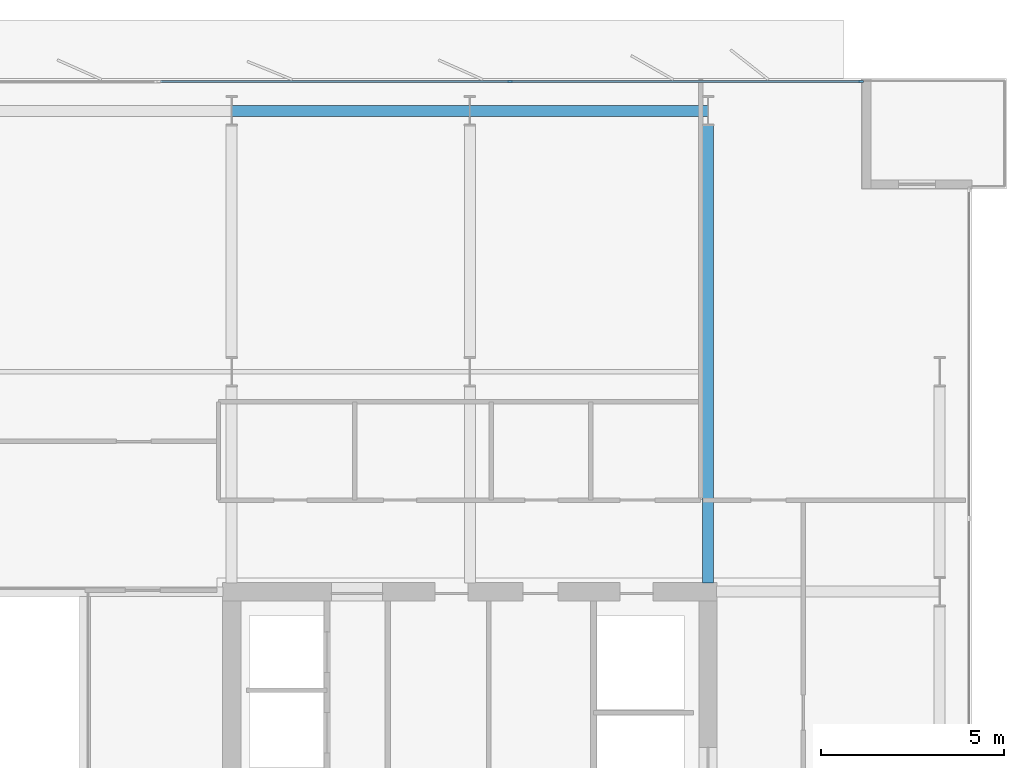
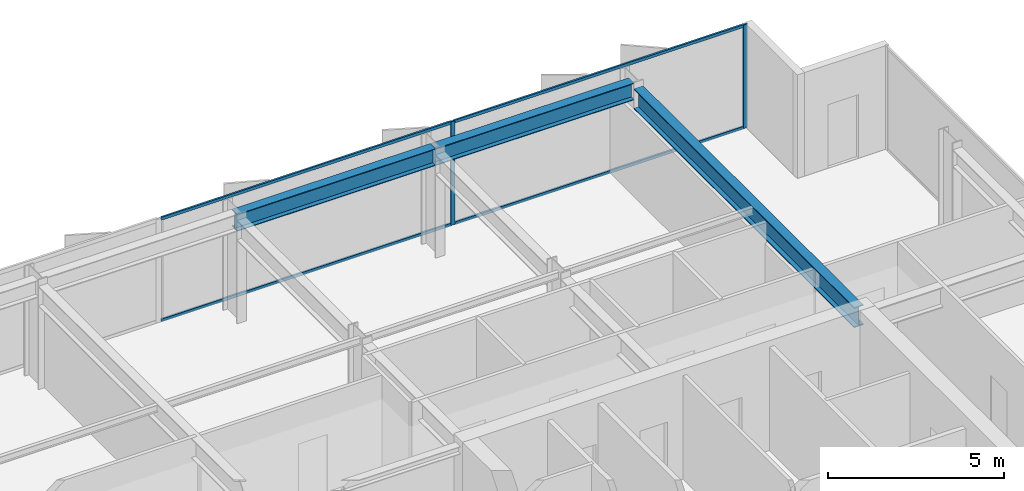
# One storey, part 13 of 23: 6 members, 3 beams, 1 element without a shape of its own.
"""IFC4 building model written with IfcOpenShell, lengths in metres."""

from ifc_helpers import new_model, si_unit, direction, frame, origin, origin_2d, place, context, subcontext, project, spatial, rectangle, i_section, extrude, material, layer, layer_set, material_profile, profile_set, type_object, element, aggregate, save


model = new_model("IFC4")

# Units and contexts
model_context = context("Model", 3, precision=1e-05, world=origin(), true_north=direction((0.0, 1.0)))
body_context = subcontext(model_context, "Body", "Model", "MODEL_VIEW")
ifc_project = project(units=[si_unit("LENGTHUNIT", "METRE"), si_unit("AREAUNIT", "SQUARE_METRE"), si_unit("VOLUMEUNIT", "CUBIC_METRE"), si_unit("PLANEANGLEUNIT", "RADIAN"), si_unit("MASSUNIT", "GRAM", prefix="KILO")], contexts=[model_context])

# Site, building, storey
site_placement = place(None, origin())
site = spatial("IfcSite", under=ifc_project, at=site_placement, CompositionType="ELEMENT")
building_placement = place(site_placement, origin())
building = spatial("IfcBuilding", under=site, at=building_placement, Name="Putna Gate Headquarters", CompositionType="ELEMENT")
storey_placement = place(building_placement, frame((0.0, 0.0, 202.39990234375)))
storey = spatial("IfcBuildingStorey", under=building, at=storey_placement, Name="L50", CompositionType="ELEMENT", Elevation=202.39990234375)

# Beams
ifc_material_1 = material(Name="Steel S355J2", Category="steel")
ifc_material_profile_1 = material_profile(ifc_material_1, i_section(OverallWidth=0.300048828125, OverallDepth=0.699951171875, WebThickness=0.01708984375, FlangeThickness=0.031982421875, at=origin_2d()), Name="Steel S355J2")
ifc_profile_set_1 = profile_set([ifc_material_profile_1], Name="Steel S355J2")
beam_type_1 = type_object("IfcBeamType", Name="BM-GIRD-B-HEB700", PredefinedType="USERDEFINED", material=ifc_profile_set_1)
beam_placement = place(storey_placement, frame((65.0, 33.235107421875, 3.22998046875), z_axis=(0.0, 1.0, 0.0), x_axis=(-1.0, 0.0, 0.0)))
element("IfcBeam", 1, at=beam_placement, inside=storey, type_object=beam_type_1, Name="L50 North Primary Girder X65", ObjectType="GIRDER", PredefinedType="USERDEFINED", context=body_context, shape_type="SweptSolid", body=[
    extrude(i_section(OverallWidth=0.300048828125, OverallDepth=0.699951171875, WebThickness=0.01708984375, FlangeThickness=0.031982421875, at=origin_2d()), origin(), (0.0, 0.0, 1.0), 12.489990234375),
])
ifc_material_profile_2 = material_profile(ifc_material_1, i_section(OverallWidth=0.300048828125, OverallDepth=0.590087890625, WebThickness=0.012939453125, FlangeThickness=0.02490234375, at=origin_2d()), Name="Steel S355J2")
ifc_profile_set_2 = profile_set([ifc_material_profile_2], Name="Steel S355J2")
beam_type_2 = type_object("IfcBeamType", Name="BM-SPAN-Z4-HEA600", PredefinedType="SPANDREL", material=ifc_profile_set_2)
for number, where, z_axis, x_axis, name in (
    (2, (52.006103515625, 46.1201171875, 3.28515625), (1.0, 0.0, 0.0), (0.0, 1.0, 0.0), "L50 N Perimeter Spandrel 7"),
    (3, (58.506103515625, 46.1201171875, 3.28515625), (1.0, 0.0, 0.0), (0.0, 1.0, 0.0), "L50 N Perimeter Spandrel 8"),
):
    element("IfcBeam", number, at=place(storey_placement, frame(where, z_axis=z_axis, x_axis=x_axis)), inside=storey, type_object=beam_type_2, Name=name, PredefinedType="SPANDREL", context=body_context, shape_type="SweptSolid", body=[
        extrude(i_section(OverallWidth=0.300048828125, OverallDepth=0.590087890625, WebThickness=0.012939453125, FlangeThickness=0.02490234375, at=origin_2d()), origin(), (0.0, 0.0, 1.0), 6.48779296875),
    ])

# Curtain wall, members
ifc_material_2 = material(Name="Anodised bronze aluminium curtain wall", Category="aluminium")
ifc_layer = layer(ifc_material_2, 0.139892578125)
ifc_layer_set = layer_set([ifc_layer], Name="Anodised bronze aluminium curtain wall")
curtain_wall_type = type_object("IfcCurtainWallType", Name="CW-SYS-Z4", PredefinedType="USERDEFINED", material=ifc_layer_set)
curtain_wall_placement = place(storey_placement, origin())
curtain_wall = element("IfcCurtainWall", 4, at=curtain_wall_placement, inside=storey, type_object=curtain_wall_type, Name="L50 North East Curtain Wall", ObjectType="STICK CURTAIN WALL", PredefinedType="USERDEFINED")
ifc_material_3 = material(Name="Anodised bronze aluminium EN AW-6060", Category="aluminium")
ifc_material_profile_3 = material_profile(ifc_material_3, rectangle(XDim=0.06005859375, YDim=0.139892578125, at=origin_2d()), Name="Anodised bronze aluminium EN AW-6060")
ifc_profile_set_3 = profile_set([ifc_material_profile_3], Name="Anodised bronze aluminium EN AW-6060")
member_type_1 = type_object("IfcMemberType", Name="MULL-CWM-4", PredefinedType="MULLION", material=ifc_profile_set_3)
member_1_placement = place(storey_placement, frame((59.60009765625, 46.919921875, 0.0), z_axis=(0.0, 0.0, 1.0), x_axis=(0.0, 1.0, 0.0)))
member_1 = element("IfcMember", 5, at=member_1_placement, type_object=member_type_1, Name="CWS-4 mullion 2", PredefinedType="MULLION", context=body_context, shape_type="SweptSolid", body=[
    extrude(rectangle(XDim=0.06005859375, YDim=0.139892578125, at=origin_2d()), origin(), (0.0, 0.0, 1.0), 3.580078125),
])
member_2_placement = place(storey_placement, frame((69.169921875, 46.919921875, 0.0), z_axis=(0.0, 0.0, 1.0), x_axis=(0.0, 1.0, 0.0)))
member_2 = element("IfcMember", 6, at=member_2_placement, type_object=member_type_1, Name="CWS-4 mullion 3", PredefinedType="MULLION", context=body_context, shape_type="SweptSolid", body=[
    extrude(rectangle(XDim=0.06005859375, YDim=0.139892578125, at=origin_2d()), origin(), (0.0, 0.0, 1.0), 3.580078125),
])
ifc_material_profile_4 = material_profile(ifc_material_3, rectangle(XDim=0.06005859375, YDim=0.10009765625, at=origin_2d()), Name="Anodised bronze aluminium EN AW-6060")
ifc_profile_set_4 = profile_set([ifc_material_profile_4], Name="Anodised bronze aluminium EN AW-6060")
member_type_2 = type_object("IfcMemberType", Name="TRAN-CWT-4", PredefinedType="USERDEFINED", material=ifc_profile_set_4)
member_3_placement = place(storey_placement, frame((50.06005859375, 46.919921875, 0.030029296875), z_axis=(1.0, 0.0, 0.0), x_axis=(0.0, 1.0, 0.0)))
member_3 = element("IfcMember", 7, at=member_3_placement, type_object=member_type_2, Name="CWS-4 transom 1.1", ObjectType="TRANSOM", PredefinedType="USERDEFINED", context=body_context, shape_type="SweptSolid", body=[
    extrude(rectangle(XDim=0.06005859375, YDim=0.10009765625, at=origin_2d()), origin(), (0.0, 0.0, 1.0), 9.510009765625),
])
member_4_placement = place(storey_placement, frame((50.06005859375, 46.919921875, 3.550048828125), z_axis=(1.0, 0.0, 0.0), x_axis=(0.0, 1.0, 0.0)))
member_4 = element("IfcMember", 8, at=member_4_placement, type_object=member_type_2, Name="CWS-4 transom 1.2", ObjectType="TRANSOM", PredefinedType="USERDEFINED", context=body_context, shape_type="SweptSolid", body=[
    extrude(rectangle(XDim=0.06005859375, YDim=0.10009765625, at=origin_2d()), origin(), (0.0, 0.0, 1.0), 9.510009765625),
])
member_5_placement = place(storey_placement, frame((59.6298828125, 46.919921875, 0.030029296875), z_axis=(1.0, 0.0, 0.0), x_axis=(0.0, 1.0, 0.0)))
member_5 = element("IfcMember", 9, at=member_5_placement, type_object=member_type_2, Name="CWS-4 transom 2.1", ObjectType="TRANSOM", PredefinedType="USERDEFINED", context=body_context, shape_type="SweptSolid", body=[
    extrude(rectangle(XDim=0.06005859375, YDim=0.10009765625, at=origin_2d()), origin(), (0.0, 0.0, 1.0), 9.510009765625),
])
member_6_placement = place(storey_placement, frame((59.6298828125, 46.919921875, 3.550048828125), z_axis=(1.0, 0.0, 0.0), x_axis=(0.0, 1.0, 0.0)))
member_6 = element("IfcMember", 10, at=member_6_placement, type_object=member_type_2, Name="CWS-4 transom 2.2", ObjectType="TRANSOM", PredefinedType="USERDEFINED", context=body_context, shape_type="SweptSolid", body=[
    extrude(rectangle(XDim=0.06005859375, YDim=0.10009765625, at=origin_2d()), origin(), (0.0, 0.0, 1.0), 9.510009765625),
])
aggregate(curtain_wall, [member_1, member_2, member_3, member_4, member_5, member_6])

save(model, "model.ifc")
